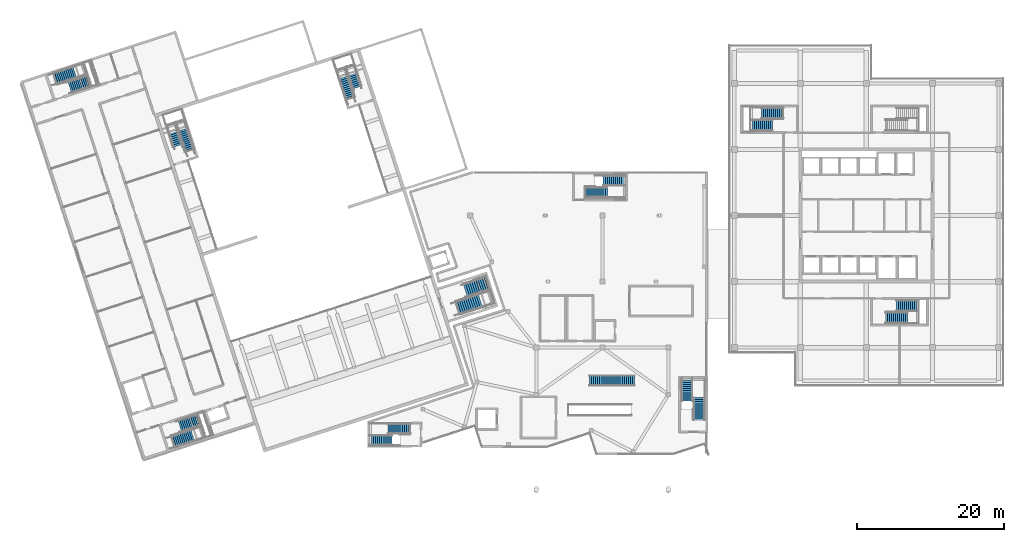
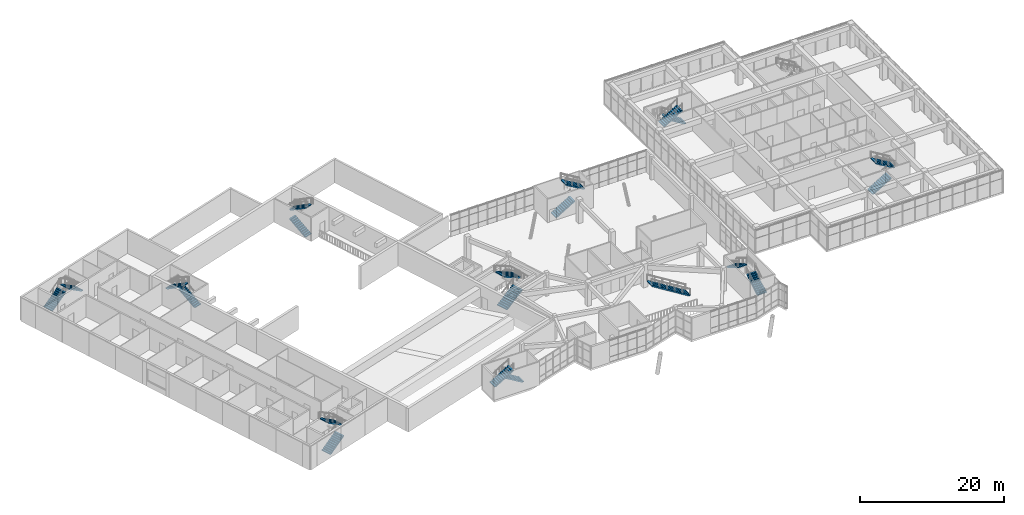
# One storey, part 58 of 66: 21 stair flights, 11 elements without a shape of their own.
"""IFC4 building model written with IfcOpenShell, lengths in metres."""

from ifc_helpers import new_model, si_unit, direction, frame, origin, place, context, subcontext, project, spatial, polyline, outline, extrude, material, type_object, element, aggregate, save


model = new_model("IFC4")

# Units and contexts
model_context = context("Model", 3, precision=1e-05, world=origin(), true_north=direction((0.0, 1.0)))
body_context = subcontext(model_context, "Body", "Model", "MODEL_VIEW")
ifc_project = project(units=[si_unit("LENGTHUNIT", "METRE"), si_unit("AREAUNIT", "SQUARE_METRE"), si_unit("VOLUMEUNIT", "CUBIC_METRE"), si_unit("PLANEANGLEUNIT", "RADIAN"), si_unit("MASSUNIT", "GRAM", prefix="KILO")], contexts=[model_context])

# Site, building, storey
site_placement = place(None, origin())
site = spatial("IfcSite", under=ifc_project, at=site_placement, CompositionType="ELEMENT")
building_placement = place(site_placement, origin())
building = spatial("IfcBuilding", under=site, at=building_placement, Name="Tuart Plaza Theatre", CompositionType="ELEMENT")
storey_placement = place(building_placement, frame((0.0, 0.0, 5.5)))
storey = spatial("IfcBuildingStorey", under=building, at=storey_placement, Name="L01", CompositionType="ELEMENT", Elevation=5.5)

# Stair, stair flights
ifc_material_1 = material(Name="Concrete N40 (40 MPa)", Category="concrete")
stair_type_1 = type_object("IfcStairType", Name="STAIR half turn 1600", PredefinedType="HALF_TURN_STAIR", material=ifc_material_1)
stair_1_placement = place(storey_placement, origin())
stair_1 = element("IfcStair", 1, at=stair_1_placement, inside=storey, type_object=stair_type_1, Name="SA-1", PredefinedType="HALF_TURN_STAIR")
ifc_material_2 = material(Name="Concrete N40 (40 MPa)", Category="concrete")
stair_flight_type_1 = type_object("IfcStairFlightType", Name="STAIR FLIGHT 166.7 260 1600", PredefinedType="STRAIGHT", material=ifc_material_2)
stair_flight_1_placement = place(storey_placement, frame((37.430419921875, 43.14697265625, 0.0), z_axis=(0.0, 0.0, 1.0), x_axis=(0.951056516295, 0.309016994375, 0.0)))
stair_flight_1 = element("IfcStairFlight", 2, at=stair_flight_1_placement, type_object=stair_flight_type_1, Name="SA-1 flight 1", NumberOfRisers=12, NumberOfTreads=11, PredefinedType="STRAIGHT", RiserHeight=0.166666667, TreadLength=0.26, context=body_context, shape_type="SweptSolid", body=[
    extrude(outline(polyline([(0.0, 0.0), (0.0, 0.166748046875), (0.260009765625, 0.166748046875), (0.260009765625, 0.333251953125), (0.52001953125, 0.333251953125), (0.52001953125, 0.5), (0.780029296875, 0.5), (0.780029296875, 0.666748046875), (1.0400390625, 0.666748046875), (1.0400390625, 0.833251953125), (1.300048828125, 0.833251953125), (1.300048828125, 1.0), (1.56005859375, 1.0), (1.56005859375, 1.166748046875), (1.820068359375, 1.166748046875), (1.820068359375, 1.333251953125), (2.080078125, 1.333251953125), (2.080078125, 1.5), (2.340087890625, 1.5), (2.340087890625, 1.666748046875), (2.60009765625, 1.666748046875), (2.60009765625, 1.833251953125), (2.860107421875, 1.833251953125), (2.860107421875, 2.0), (2.860107421875, 1.6552734375), (0.27783203125, 0.0), (0.0, 0.0)])), frame((0.0, 0.800048828125, 0.0), z_axis=(0.0, -1.0, 0.0), x_axis=(1.0, 0.0, 0.0)), (0.0, 0.0, 1.0), 1.60009765625),
])
stair_flight_2_placement = place(storey_placement, frame((41.13134765625, 46.189453125, 2.0), z_axis=(0.0, 0.0, 1.0), x_axis=(-0.951056516295, -0.309016994375, 0.0)))
stair_flight_2 = element("IfcStairFlight", 3, at=stair_flight_2_placement, type_object=stair_flight_type_1, Name="SA-1 flight 2", NumberOfRisers=12, NumberOfTreads=11, PredefinedType="STRAIGHT", RiserHeight=0.166666667, TreadLength=0.26, context=body_context, shape_type="SweptSolid", body=[
    extrude(outline(polyline([(0.0, 0.0), (0.0, 0.166748046875), (0.260009765625, 0.166748046875), (0.260009765625, 0.333251953125), (0.52001953125, 0.333251953125), (0.52001953125, 0.5), (0.780029296875, 0.5), (0.780029296875, 0.666748046875), (1.0400390625, 0.666748046875), (1.0400390625, 0.833251953125), (1.300048828125, 0.833251953125), (1.300048828125, 1.0), (1.56005859375, 1.0), (1.56005859375, 1.166748046875), (1.820068359375, 1.166748046875), (1.820068359375, 1.333251953125), (2.080078125, 1.333251953125), (2.080078125, 1.5), (2.340087890625, 1.5), (2.340087890625, 1.666748046875), (2.60009765625, 1.666748046875), (2.60009765625, 1.833251953125), (2.860107421875, 1.833251953125), (2.860107421875, 2.0), (2.860107421875, 1.6552734375), (0.27783203125, 0.0), (0.0, 0.0)])), frame((0.0, 0.800048828125, 0.0), z_axis=(0.0, -1.0, 0.0), x_axis=(1.0, 0.0, 0.0)), (0.0, 0.0, 1.0), 1.60009765625),
])
aggregate(stair_1, [stair_flight_1, stair_flight_2])

stair_2_placement = place(storey_placement, origin())
stair_2 = element("IfcStair", 4, at=stair_2_placement, inside=storey, type_object=stair_type_1, Name="SA-2", PredefinedType="HALF_TURN_STAIR")
stair_flight_3_placement = place(storey_placement, frame((21.345947265625, 92.6494140625, 0.0), z_axis=(0.0, 0.0, 1.0), x_axis=(0.951056516295, 0.309016994375, 0.0)))
stair_flight_3 = element("IfcStairFlight", 5, at=stair_flight_3_placement, type_object=stair_flight_type_1, Name="SA-2 flight 1", NumberOfRisers=12, NumberOfTreads=11, PredefinedType="STRAIGHT", RiserHeight=0.166666667, TreadLength=0.26, context=body_context, shape_type="SweptSolid", body=[
    extrude(outline(polyline([(0.0, 0.0), (0.0, 0.166748046875), (0.260009765625, 0.166748046875), (0.260009765625, 0.333251953125), (0.52001953125, 0.333251953125), (0.52001953125, 0.5), (0.780029296875, 0.5), (0.780029296875, 0.666748046875), (1.0400390625, 0.666748046875), (1.0400390625, 0.833251953125), (1.300048828125, 0.833251953125), (1.300048828125, 1.0), (1.56005859375, 1.0), (1.56005859375, 1.166748046875), (1.820068359375, 1.166748046875), (1.820068359375, 1.333251953125), (2.080078125, 1.333251953125), (2.080078125, 1.5), (2.340087890625, 1.5), (2.340087890625, 1.666748046875), (2.60009765625, 1.666748046875), (2.60009765625, 1.833251953125), (2.860107421875, 1.833251953125), (2.860107421875, 2.0), (2.860107421875, 1.6552734375), (0.27783203125, 0.0), (0.0, 0.0)])), frame((0.0, 0.800048828125, 0.0), z_axis=(0.0, -1.0, 0.0), x_axis=(1.0, 0.0, 0.0)), (0.0, 0.0, 1.0), 1.60009765625),
])
stair_flight_4_placement = place(storey_placement, frame((26.128662109375, 92.36328125, 2.0), z_axis=(0.0, 0.0, 1.0), x_axis=(-0.951056516295, -0.309016994375, 0.0)))
stair_flight_4 = element("IfcStairFlight", 6, at=stair_flight_4_placement, type_object=stair_flight_type_1, Name="SA-2 flight 2", NumberOfRisers=12, NumberOfTreads=11, PredefinedType="STRAIGHT", RiserHeight=0.166666667, TreadLength=0.26, context=body_context, shape_type="SweptSolid", body=[
    extrude(outline(polyline([(0.0, 0.0), (0.0, 0.166748046875), (0.260009765625, 0.166748046875), (0.260009765625, 0.333251953125), (0.52001953125, 0.333251953125), (0.52001953125, 0.5), (0.780029296875, 0.5), (0.780029296875, 0.666748046875), (1.0400390625, 0.666748046875), (1.0400390625, 0.833251953125), (1.300048828125, 0.833251953125), (1.300048828125, 1.0), (1.56005859375, 1.0), (1.56005859375, 1.166748046875), (1.820068359375, 1.166748046875), (1.820068359375, 1.333251953125), (2.080078125, 1.333251953125), (2.080078125, 1.5), (2.340087890625, 1.5), (2.340087890625, 1.666748046875), (2.60009765625, 1.666748046875), (2.60009765625, 1.833251953125), (2.860107421875, 1.833251953125), (2.860107421875, 2.0), (2.860107421875, 1.6552734375), (0.27783203125, 0.0), (0.0, 0.0)])), frame((0.0, 0.800048828125, 0.0), z_axis=(0.0, -1.0, 0.0), x_axis=(1.0, 0.0, 0.0)), (0.0, 0.0, 1.0), 1.60009765625),
])
aggregate(stair_2, [stair_flight_3, stair_flight_4])

ifc_material_3 = material(Name="Concrete N40 (40 MPa)", Category="concrete")
stair_type_2 = type_object("IfcStairType", Name="STAIR half turn 1500", PredefinedType="HALF_TURN_STAIR", material=ifc_material_3)
stair_3_placement = place(storey_placement, origin())
stair_3 = element("IfcStair", 7, at=stair_3_placement, inside=storey, type_object=stair_type_2, Name="SC-2", PredefinedType="HALF_TURN_STAIR")
ifc_material_4 = material(Name="Concrete N40 (40 MPa)", Category="concrete")
stair_flight_type_2 = type_object("IfcStairFlightType", Name="STAIR FLIGHT 166.7 275 1500", PredefinedType="STRAIGHT", material=ifc_material_4)
stair_flight_5_placement = place(storey_placement, frame((134.594970703125, 60.050048828125, 0.0), z_axis=(0.0, 0.0, 1.0), x_axis=(1.0, 0.0, 0.0)))
stair_flight_5 = element("IfcStairFlight", 8, at=stair_flight_5_placement, type_object=stair_flight_type_2, Name="SC-2 flight 1", NumberOfRisers=12, NumberOfTreads=11, PredefinedType="STRAIGHT", RiserHeight=0.166666667, TreadLength=0.275, context=body_context, shape_type="SweptSolid", body=[
    extrude(outline(polyline([(0.0, 0.0), (0.0, 0.166748046875), (0.27490234375, 0.166748046875), (0.27490234375, 0.333251953125), (0.550048828125, 0.333251953125), (0.550048828125, 0.5), (0.824951171875, 0.5), (0.824951171875, 0.666748046875), (1.10009765625, 0.666748046875), (1.10009765625, 0.833251953125), (1.375, 0.833251953125), (1.375, 1.0), (1.64990234375, 1.0), (1.64990234375, 1.166748046875), (1.925048828125, 1.166748046875), (1.925048828125, 1.333251953125), (2.199951171875, 1.333251953125), (2.199951171875, 1.5), (2.47509765625, 1.5), (2.47509765625, 1.666748046875), (2.75, 1.666748046875), (2.75, 1.833251953125), (3.02490234375, 1.833251953125), (3.02490234375, 2.0), (3.02490234375, 1.657958984375), (0.289306640625, 0.0), (0.0, 0.0)])), frame((0.0, 0.75, 0.0), z_axis=(0.0, -1.0, 0.0), x_axis=(1.0, 0.0, 0.0)), (0.0, 0.0, 1.0), 1.5),
])
stair_flight_6_placement = place(storey_placement, frame((139.1201171875, 61.699951171875, 2.0), z_axis=(0.0, 0.0, 1.0), x_axis=(-1.0, 0.0, 0.0)))
stair_flight_6 = element("IfcStairFlight", 9, at=stair_flight_6_placement, type_object=stair_flight_type_2, Name="SC-2 flight 2", NumberOfRisers=12, NumberOfTreads=11, PredefinedType="STRAIGHT", RiserHeight=0.166666667, TreadLength=0.275, context=body_context, shape_type="SweptSolid", body=[
    extrude(outline(polyline([(0.0, 0.0), (0.0, 0.166748046875), (0.27490234375, 0.166748046875), (0.27490234375, 0.333251953125), (0.550048828125, 0.333251953125), (0.550048828125, 0.5), (0.824951171875, 0.5), (0.824951171875, 0.666748046875), (1.10009765625, 0.666748046875), (1.10009765625, 0.833251953125), (1.375, 0.833251953125), (1.375, 1.0), (1.64990234375, 1.0), (1.64990234375, 1.166748046875), (1.925048828125, 1.166748046875), (1.925048828125, 1.333251953125), (2.199951171875, 1.333251953125), (2.199951171875, 1.5), (2.47509765625, 1.5), (2.47509765625, 1.666748046875), (2.75, 1.666748046875), (2.75, 1.833251953125), (3.02490234375, 1.833251953125), (3.02490234375, 2.0), (3.02490234375, 1.657958984375), (0.289306640625, 0.0), (0.0, 0.0)])), frame((0.0, 0.75, 0.0), z_axis=(0.0, -1.0, 0.0), x_axis=(1.0, 0.0, 0.0)), (0.0, 0.0, 1.0), 1.5),
])
aggregate(stair_3, [stair_flight_5, stair_flight_6])

stair_4_placement = place(storey_placement, origin())
stair_4 = element("IfcStair", 10, at=stair_4_placement, inside=storey, type_object=stair_type_2, Name="SC-14", PredefinedType="HALF_TURN_STAIR")
stair_flight_7_placement = place(storey_placement, frame((120.705078125, 87.949951171875, 0.0), z_axis=(0.0, 0.0, 1.0), x_axis=(-1.0, 0.0, 0.0)))
stair_flight_7 = element("IfcStairFlight", 11, at=stair_flight_7_placement, type_object=stair_flight_type_2, Name="SC-14 flight 1", NumberOfRisers=12, NumberOfTreads=11, PredefinedType="STRAIGHT", RiserHeight=0.166666667, TreadLength=0.275, context=body_context, shape_type="SweptSolid", body=[
    extrude(outline(polyline([(0.0, 0.0), (0.0, 0.166748046875), (0.27490234375, 0.166748046875), (0.27490234375, 0.333251953125), (0.550048828125, 0.333251953125), (0.550048828125, 0.5), (0.824951171875, 0.5), (0.824951171875, 0.666748046875), (1.10009765625, 0.666748046875), (1.10009765625, 0.833251953125), (1.375, 0.833251953125), (1.375, 1.0), (1.64990234375, 1.0), (1.64990234375, 1.166748046875), (1.925048828125, 1.166748046875), (1.925048828125, 1.333251953125), (2.199951171875, 1.333251953125), (2.199951171875, 1.5), (2.47509765625, 1.5), (2.47509765625, 1.666748046875), (2.75, 1.666748046875), (2.75, 1.833251953125), (3.02490234375, 1.833251953125), (3.02490234375, 2.0), (3.02490234375, 1.657958984375), (0.289306640625, 0.0), (0.0, 0.0)])), frame((0.0, 0.75, 0.0), z_axis=(0.0, -1.0, 0.0), x_axis=(1.0, 0.0, 0.0)), (0.0, 0.0, 1.0), 1.5),
])
stair_flight_8_placement = place(storey_placement, frame((116.179931640625, 86.300048828125, 2.0), z_axis=(0.0, 0.0, 1.0), x_axis=(1.0, 0.0, 0.0)))
stair_flight_8 = element("IfcStairFlight", 12, at=stair_flight_8_placement, type_object=stair_flight_type_2, Name="SC-14 flight 2", NumberOfRisers=12, NumberOfTreads=11, PredefinedType="STRAIGHT", RiserHeight=0.166666667, TreadLength=0.275, context=body_context, shape_type="SweptSolid", body=[
    extrude(outline(polyline([(0.0, 0.0), (0.0, 0.166748046875), (0.27490234375, 0.166748046875), (0.27490234375, 0.333251953125), (0.550048828125, 0.333251953125), (0.550048828125, 0.5), (0.824951171875, 0.5), (0.824951171875, 0.666748046875), (1.10009765625, 0.666748046875), (1.10009765625, 0.833251953125), (1.375, 0.833251953125), (1.375, 1.0), (1.64990234375, 1.0), (1.64990234375, 1.166748046875), (1.925048828125, 1.166748046875), (1.925048828125, 1.333251953125), (2.199951171875, 1.333251953125), (2.199951171875, 1.5), (2.47509765625, 1.5), (2.47509765625, 1.666748046875), (2.75, 1.666748046875), (2.75, 1.833251953125), (3.02490234375, 1.833251953125), (3.02490234375, 2.0), (3.02490234375, 1.657958984375), (0.289306640625, 0.0), (0.0, 0.0)])), frame((0.0, 0.75, 0.0), z_axis=(0.0, -1.0, 0.0), x_axis=(1.0, 0.0, 0.0)), (0.0, 0.0, 1.0), 1.5),
])
aggregate(stair_4, [stair_flight_7, stair_flight_8])

ifc_material_5 = material(Name="Concrete N40 (40 MPa)", Category="concrete")
stair_type_3 = type_object("IfcStairType", Name="STAIR half turn 1200", PredefinedType="HALF_TURN_STAIR", material=ifc_material_5)
stair_5_placement = place(storey_placement, origin())
stair_5 = element("IfcStair", 13, at=stair_5_placement, inside=storey, type_object=stair_type_3, Name="SA-4", PredefinedType="HALF_TURN_STAIR")
ifc_material_6 = material(Name="Concrete N40 (40 MPa)", Category="concrete")
stair_flight_type_3 = type_object("IfcStairFlightType", Name="STAIR FLIGHT 166.7 280 1200", PredefinedType="STRAIGHT", material=ifc_material_6)
stair_flight_9_placement = place(storey_placement, frame((39.7744140625, 82.807373046875, 0.0), z_axis=(0.0, 0.0, 1.0), x_axis=(-0.309016994375, 0.951056516295, 0.0)))
stair_flight_9 = element("IfcStairFlight", 14, at=stair_flight_9_placement, type_object=stair_flight_type_3, Name="SA-4 flight 1", NumberOfRisers=12, NumberOfTreads=11, PredefinedType="STRAIGHT", RiserHeight=0.166666667, TreadLength=0.28, context=body_context, shape_type="SweptSolid", body=[
    extrude(outline(polyline([(0.0, 0.0), (0.0, 0.166748046875), (0.280029296875, 0.166748046875), (0.280029296875, 0.333251953125), (0.56005859375, 0.333251953125), (0.56005859375, 0.5), (0.840087890625, 0.5), (0.840087890625, 0.666748046875), (1.1201171875, 0.666748046875), (1.1201171875, 0.833251953125), (1.39990234375, 0.833251953125), (1.39990234375, 1.0), (1.679931640625, 1.0), (1.679931640625, 1.166748046875), (1.9599609375, 1.166748046875), (1.9599609375, 1.333251953125), (2.239990234375, 1.333251953125), (2.239990234375, 1.5), (2.52001953125, 1.5), (2.52001953125, 1.666748046875), (2.800048828125, 1.666748046875), (2.800048828125, 1.833251953125), (3.080078125, 1.833251953125), (3.080078125, 2.0), (3.080078125, 1.658935546875), (0.29296875, 0.0), (0.0, 0.0)])), frame((0.0, 0.60009765625, 0.0), z_axis=(0.0, -1.0, 0.0), x_axis=(1.0, 0.0, 0.0)), (0.0, 0.0, 1.0), 1.199951171875),
])
stair_flight_10_placement = place(storey_placement, frame((37.167724609375, 86.460693359375, 2.0), z_axis=(0.0, 0.0, 1.0), x_axis=(0.309016994375, -0.951056516295, 0.0)))
stair_flight_10 = element("IfcStairFlight", 15, at=stair_flight_10_placement, type_object=stair_flight_type_3, Name="SA-4 flight 2", NumberOfRisers=12, NumberOfTreads=11, PredefinedType="STRAIGHT", RiserHeight=0.166666667, TreadLength=0.28, context=body_context, shape_type="SweptSolid", body=[
    extrude(outline(polyline([(0.0, 0.0), (0.0, 0.166748046875), (0.280029296875, 0.166748046875), (0.280029296875, 0.333251953125), (0.56005859375, 0.333251953125), (0.56005859375, 0.5), (0.840087890625, 0.5), (0.840087890625, 0.666748046875), (1.1201171875, 0.666748046875), (1.1201171875, 0.833251953125), (1.39990234375, 0.833251953125), (1.39990234375, 1.0), (1.679931640625, 1.0), (1.679931640625, 1.166748046875), (1.9599609375, 1.166748046875), (1.9599609375, 1.333251953125), (2.239990234375, 1.333251953125), (2.239990234375, 1.5), (2.52001953125, 1.5), (2.52001953125, 1.666748046875), (2.800048828125, 1.666748046875), (2.800048828125, 1.833251953125), (3.080078125, 1.833251953125), (3.080078125, 2.0), (3.080078125, 1.658935546875), (0.29296875, 0.0), (0.0, 0.0)])), frame((0.0, 0.60009765625, 0.0), z_axis=(0.0, -1.0, 0.0), x_axis=(1.0, 0.0, 0.0)), (0.0, 0.0, 1.0), 1.199951171875),
])
aggregate(stair_5, [stair_flight_9, stair_flight_10])

stair_6_placement = place(storey_placement, origin())
stair_6 = element("IfcStair", 16, at=stair_6_placement, inside=storey, type_object=stair_type_3, Name="SA-5", PredefinedType="HALF_TURN_STAIR")
stair_flight_11_placement = place(storey_placement, frame((61.6533203125, 89.916259765625, 0.0), z_axis=(0.0, 0.0, 1.0), x_axis=(-0.309016994375, 0.951056516295, 0.0)))
stair_flight_11 = element("IfcStairFlight", 17, at=stair_flight_11_placement, type_object=stair_flight_type_3, Name="SA-5 flight 1", NumberOfRisers=12, NumberOfTreads=11, PredefinedType="STRAIGHT", RiserHeight=0.166666667, TreadLength=0.28, context=body_context, shape_type="SweptSolid", body=[
    extrude(outline(polyline([(0.0, 0.0), (0.0, 0.166748046875), (0.280029296875, 0.166748046875), (0.280029296875, 0.333251953125), (0.56005859375, 0.333251953125), (0.56005859375, 0.5), (0.840087890625, 0.5), (0.840087890625, 0.666748046875), (1.1201171875, 0.666748046875), (1.1201171875, 0.833251953125), (1.39990234375, 0.833251953125), (1.39990234375, 1.0), (1.679931640625, 1.0), (1.679931640625, 1.166748046875), (1.9599609375, 1.166748046875), (1.9599609375, 1.333251953125), (2.239990234375, 1.333251953125), (2.239990234375, 1.5), (2.52001953125, 1.5), (2.52001953125, 1.666748046875), (2.800048828125, 1.666748046875), (2.800048828125, 1.833251953125), (3.080078125, 1.833251953125), (3.080078125, 2.0), (3.080078125, 1.658935546875), (0.29296875, 0.0), (0.0, 0.0)])), frame((0.0, 0.60009765625, 0.0), z_axis=(0.0, -1.0, 0.0), x_axis=(1.0, 0.0, 0.0)), (0.0, 0.0, 1.0), 1.199951171875),
])
stair_flight_12_placement = place(storey_placement, frame((61.61474609375, 94.404052734375, 2.0), z_axis=(0.0, 0.0, 1.0), x_axis=(0.309016994375, -0.951056516295, 0.0)))
stair_flight_12 = element("IfcStairFlight", 18, at=stair_flight_12_placement, type_object=stair_flight_type_3, Name="SA-5 flight 2", NumberOfRisers=12, NumberOfTreads=11, PredefinedType="STRAIGHT", RiserHeight=0.166666667, TreadLength=0.28, context=body_context, shape_type="SweptSolid", body=[
    extrude(outline(polyline([(0.0, 0.0), (0.0, 0.166748046875), (0.280029296875, 0.166748046875), (0.280029296875, 0.333251953125), (0.56005859375, 0.333251953125), (0.56005859375, 0.5), (0.840087890625, 0.5), (0.840087890625, 0.666748046875), (1.1201171875, 0.666748046875), (1.1201171875, 0.833251953125), (1.39990234375, 0.833251953125), (1.39990234375, 1.0), (1.679931640625, 1.0), (1.679931640625, 1.166748046875), (1.9599609375, 1.166748046875), (1.9599609375, 1.333251953125), (2.239990234375, 1.333251953125), (2.239990234375, 1.5), (2.52001953125, 1.5), (2.52001953125, 1.666748046875), (2.800048828125, 1.666748046875), (2.800048828125, 1.833251953125), (3.080078125, 1.833251953125), (3.080078125, 2.0), (3.080078125, 1.658935546875), (0.29296875, 0.0), (0.0, 0.0)])), frame((0.0, 0.60009765625, 0.0), z_axis=(0.0, -1.0, 0.0), x_axis=(1.0, 0.0, 0.0)), (0.0, 0.0, 1.0), 1.199951171875),
])
aggregate(stair_6, [stair_flight_11, stair_flight_12])

ifc_material_7 = material(Name="Concrete N40 (40 MPa)", Category="concrete")
stair_type_4 = type_object("IfcStairType", Name="STAIR half turn 1400", PredefinedType="HALF_TURN_STAIR", material=ifc_material_7)
stair_7_placement = place(storey_placement, origin())
stair_7 = element("IfcStair", 19, at=stair_7_placement, inside=storey, type_object=stair_type_4, Name="SB-2", PredefinedType="HALF_TURN_STAIR")
ifc_material_8 = material(Name="Concrete N40 (40 MPa)", Category="concrete")
stair_flight_type_4 = type_object("IfcStairFlightType", Name="STAIR FLIGHT 166.7 280 1400", PredefinedType="STRAIGHT", material=ifc_material_8)
stair_flight_13_placement = place(storey_placement, frame((69.85009765625, 44.925048828125, 0.0), z_axis=(0.0, 0.0, 1.0), x_axis=(-1.0, 0.0, 0.0)))
stair_flight_13 = element("IfcStairFlight", 20, at=stair_flight_13_placement, type_object=stair_flight_type_4, Name="SB-2 flight 1", NumberOfRisers=12, NumberOfTreads=11, PredefinedType="STRAIGHT", RiserHeight=0.166666667, TreadLength=0.28, context=body_context, shape_type="SweptSolid", body=[
    extrude(outline(polyline([(0.0, 0.0), (0.0, 0.166748046875), (0.280029296875, 0.166748046875), (0.280029296875, 0.333251953125), (0.56005859375, 0.333251953125), (0.56005859375, 0.5), (0.840087890625, 0.5), (0.840087890625, 0.666748046875), (1.1201171875, 0.666748046875), (1.1201171875, 0.833251953125), (1.39990234375, 0.833251953125), (1.39990234375, 1.0), (1.679931640625, 1.0), (1.679931640625, 1.166748046875), (1.9599609375, 1.166748046875), (1.9599609375, 1.333251953125), (2.239990234375, 1.333251953125), (2.239990234375, 1.5), (2.52001953125, 1.5), (2.52001953125, 1.666748046875), (2.800048828125, 1.666748046875), (2.800048828125, 1.833251953125), (3.080078125, 1.833251953125), (3.080078125, 2.0), (3.080078125, 1.658935546875), (0.29296875, 0.0), (0.0, 0.0)])), frame((0.0, 0.699951171875, 0.0), z_axis=(0.0, -1.0, 0.0), x_axis=(1.0, 0.0, 0.0)), (0.0, 0.0, 1.0), 1.39990234375),
])
stair_flight_14_placement = place(storey_placement, frame((64.25, 43.375, 2.0), z_axis=(0.0, 0.0, 1.0), x_axis=(1.0, 0.0, 0.0)))
stair_flight_14 = element("IfcStairFlight", 21, at=stair_flight_14_placement, type_object=stair_flight_type_4, Name="SB-2 flight 2", NumberOfRisers=12, NumberOfTreads=11, PredefinedType="STRAIGHT", RiserHeight=0.166666667, TreadLength=0.28, context=body_context, shape_type="SweptSolid", body=[
    extrude(outline(polyline([(0.0, 0.0), (0.0, 0.166748046875), (0.280029296875, 0.166748046875), (0.280029296875, 0.333251953125), (0.56005859375, 0.333251953125), (0.56005859375, 0.5), (0.840087890625, 0.5), (0.840087890625, 0.666748046875), (1.1201171875, 0.666748046875), (1.1201171875, 0.833251953125), (1.39990234375, 0.833251953125), (1.39990234375, 1.0), (1.679931640625, 1.0), (1.679931640625, 1.166748046875), (1.9599609375, 1.166748046875), (1.9599609375, 1.333251953125), (2.239990234375, 1.333251953125), (2.239990234375, 1.5), (2.52001953125, 1.5), (2.52001953125, 1.666748046875), (2.800048828125, 1.666748046875), (2.800048828125, 1.833251953125), (3.080078125, 1.833251953125), (3.080078125, 2.0), (3.080078125, 1.658935546875), (0.29296875, 0.0), (0.0, 0.0)])), frame((0.0, 0.699951171875, 0.0), z_axis=(0.0, -1.0, 0.0), x_axis=(1.0, 0.0, 0.0)), (0.0, 0.0, 1.0), 1.39990234375),
])
aggregate(stair_7, [stair_flight_13, stair_flight_14])

stair_8_placement = place(storey_placement, origin())
stair_8 = element("IfcStair", 22, at=stair_8_placement, inside=storey, type_object=stair_type_4, Name="SB-5", PredefinedType="HALF_TURN_STAIR")
stair_flight_15_placement = place(storey_placement, frame((93.60009765625, 77.175048828125, 0.0), z_axis=(0.0, 0.0, 1.0), x_axis=(1.0, 0.0, 0.0)))
stair_flight_15 = element("IfcStairFlight", 23, at=stair_flight_15_placement, type_object=stair_flight_type_4, Name="SB-5 flight 1", NumberOfRisers=12, NumberOfTreads=11, PredefinedType="STRAIGHT", RiserHeight=0.166666667, TreadLength=0.28, context=body_context, shape_type="SweptSolid", body=[
    extrude(outline(polyline([(0.0, 0.0), (0.0, 0.166748046875), (0.280029296875, 0.166748046875), (0.280029296875, 0.333251953125), (0.56005859375, 0.333251953125), (0.56005859375, 0.5), (0.840087890625, 0.5), (0.840087890625, 0.666748046875), (1.1201171875, 0.666748046875), (1.1201171875, 0.833251953125), (1.39990234375, 0.833251953125), (1.39990234375, 1.0), (1.679931640625, 1.0), (1.679931640625, 1.166748046875), (1.9599609375, 1.166748046875), (1.9599609375, 1.333251953125), (2.239990234375, 1.333251953125), (2.239990234375, 1.5), (2.52001953125, 1.5), (2.52001953125, 1.666748046875), (2.800048828125, 1.666748046875), (2.800048828125, 1.833251953125), (3.080078125, 1.833251953125), (3.080078125, 2.0), (3.080078125, 1.658935546875), (0.29296875, 0.0), (0.0, 0.0)])), frame((0.0, 0.699951171875, 0.0), z_axis=(0.0, -1.0, 0.0), x_axis=(1.0, 0.0, 0.0)), (0.0, 0.0, 1.0), 1.39990234375),
])
stair_flight_16_placement = place(storey_placement, frame((99.199951171875, 78.72509765625, 2.0), z_axis=(0.0, 0.0, 1.0), x_axis=(-1.0, 0.0, 0.0)))
stair_flight_16 = element("IfcStairFlight", 24, at=stair_flight_16_placement, type_object=stair_flight_type_4, Name="SB-5 flight 2", NumberOfRisers=12, NumberOfTreads=11, PredefinedType="STRAIGHT", RiserHeight=0.166666667, TreadLength=0.28, context=body_context, shape_type="SweptSolid", body=[
    extrude(outline(polyline([(0.0, 0.0), (0.0, 0.166748046875), (0.280029296875, 0.166748046875), (0.280029296875, 0.333251953125), (0.56005859375, 0.333251953125), (0.56005859375, 0.5), (0.840087890625, 0.5), (0.840087890625, 0.666748046875), (1.1201171875, 0.666748046875), (1.1201171875, 0.833251953125), (1.39990234375, 0.833251953125), (1.39990234375, 1.0), (1.679931640625, 1.0), (1.679931640625, 1.166748046875), (1.9599609375, 1.166748046875), (1.9599609375, 1.333251953125), (2.239990234375, 1.333251953125), (2.239990234375, 1.5), (2.52001953125, 1.5), (2.52001953125, 1.666748046875), (2.800048828125, 1.666748046875), (2.800048828125, 1.833251953125), (3.080078125, 1.833251953125), (3.080078125, 2.0), (3.080078125, 1.658935546875), (0.29296875, 0.0), (0.0, 0.0)])), frame((0.0, 0.699951171875, 0.0), z_axis=(0.0, -1.0, 0.0), x_axis=(1.0, 0.0, 0.0)), (0.0, 0.0, 1.0), 1.39990234375),
])
aggregate(stair_8, [stair_flight_15, stair_flight_16])

stair_9_placement = place(storey_placement, origin())
stair_9 = element("IfcStair", 25, at=stair_9_placement, inside=storey, type_object=stair_type_2, Name="SB-8", PredefinedType="HALF_TURN_STAIR")
ifc_material_9 = material(Name="Concrete N40 (40 MPa)", Category="concrete")
stair_flight_type_5 = type_object("IfcStairFlightType", Name="STAIR FLIGHT 166.7 280 1500", PredefinedType="STRAIGHT", material=ifc_material_9)
stair_flight_17_placement = place(storey_placement, frame((109.205078125, 46.10009765625, 0.0), z_axis=(0.0, 0.0, 1.0), x_axis=(0.0, 1.0, 0.0)))
stair_flight_17 = element("IfcStairFlight", 26, at=stair_flight_17_placement, type_object=stair_flight_type_5, Name="SB-8 flight 1", NumberOfRisers=12, NumberOfTreads=11, PredefinedType="STRAIGHT", RiserHeight=0.166666667, TreadLength=0.28, context=body_context, shape_type="SweptSolid", body=[
    extrude(outline(polyline([(0.0, 0.0), (0.0, 0.166748046875), (0.280029296875, 0.166748046875), (0.280029296875, 0.333251953125), (0.56005859375, 0.333251953125), (0.56005859375, 0.5), (0.840087890625, 0.5), (0.840087890625, 0.666748046875), (1.1201171875, 0.666748046875), (1.1201171875, 0.833251953125), (1.39990234375, 0.833251953125), (1.39990234375, 1.0), (1.679931640625, 1.0), (1.679931640625, 1.166748046875), (1.9599609375, 1.166748046875), (1.9599609375, 1.333251953125), (2.239990234375, 1.333251953125), (2.239990234375, 1.5), (2.52001953125, 1.5), (2.52001953125, 1.666748046875), (2.800048828125, 1.666748046875), (2.800048828125, 1.833251953125), (3.080078125, 1.833251953125), (3.080078125, 2.0), (3.080078125, 1.658935546875), (0.29296875, 0.0), (0.0, 0.0)])), frame((0.0, 0.75, 0.0), z_axis=(0.0, -1.0, 0.0), x_axis=(1.0, 0.0, 0.0)), (0.0, 0.0, 1.0), 1.5),
])
stair_flight_18_placement = place(storey_placement, frame((107.554931640625, 51.800048828125, 2.0), z_axis=(0.0, 0.0, 1.0), x_axis=(0.0, -1.0, 0.0)))
stair_flight_18 = element("IfcStairFlight", 27, at=stair_flight_18_placement, type_object=stair_flight_type_5, Name="SB-8 flight 2", NumberOfRisers=12, NumberOfTreads=11, PredefinedType="STRAIGHT", RiserHeight=0.166666667, TreadLength=0.28, context=body_context, shape_type="SweptSolid", body=[
    extrude(outline(polyline([(0.0, 0.0), (0.0, 0.166748046875), (0.280029296875, 0.166748046875), (0.280029296875, 0.333251953125), (0.56005859375, 0.333251953125), (0.56005859375, 0.5), (0.840087890625, 0.5), (0.840087890625, 0.666748046875), (1.1201171875, 0.666748046875), (1.1201171875, 0.833251953125), (1.39990234375, 0.833251953125), (1.39990234375, 1.0), (1.679931640625, 1.0), (1.679931640625, 1.166748046875), (1.9599609375, 1.166748046875), (1.9599609375, 1.333251953125), (2.239990234375, 1.333251953125), (2.239990234375, 1.5), (2.52001953125, 1.5), (2.52001953125, 1.666748046875), (2.800048828125, 1.666748046875), (2.800048828125, 1.833251953125), (3.080078125, 1.833251953125), (3.080078125, 2.0), (3.080078125, 1.658935546875), (0.29296875, 0.0), (0.0, 0.0)])), frame((0.0, 0.75, 0.0), z_axis=(0.0, -1.0, 0.0), x_axis=(1.0, 0.0, 0.0)), (0.0, 0.0, 1.0), 1.5),
])
aggregate(stair_9, [stair_flight_17, stair_flight_18])

ifc_material_10 = material(Name="Concrete N40 (40 MPa)", Category="concrete")
stair_type_5 = type_object("IfcStairType", Name="STAIR half turn 1800", PredefinedType="HALF_TURN_STAIR", material=ifc_material_10)
stair_10_placement = place(storey_placement, origin())
stair_10 = element("IfcStair", 28, at=stair_10_placement, inside=storey, type_object=stair_type_5, Name="SA-3", PredefinedType="HALF_TURN_STAIR")
ifc_material_11 = material(Name="Concrete N40 (40 MPa)", Category="concrete")
stair_flight_type_6 = type_object("IfcStairFlightType", Name="STAIR FLIGHT 166.7 300 1800", PredefinedType="STRAIGHT", material=ifc_material_11)
stair_flight_19_placement = place(storey_placement, frame((76.220703125, 61.3759765625, 0.0), z_axis=(0.0, 0.0, 1.0), x_axis=(0.951056516295, 0.309016994375, 0.0)))
stair_flight_19 = element("IfcStairFlight", 29, at=stair_flight_19_placement, type_object=stair_flight_type_6, Name="SA-3 flight 1", NumberOfRisers=12, NumberOfTreads=11, PredefinedType="STRAIGHT", RiserHeight=0.166666667, TreadLength=0.3, context=body_context, shape_type="SweptSolid", body=[
    extrude(outline(polyline([(0.0, 0.0), (0.0, 0.166748046875), (0.300048828125, 0.166748046875), (0.300048828125, 0.333251953125), (0.60009765625, 0.333251953125), (0.60009765625, 0.5), (0.89990234375, 0.5), (0.89990234375, 0.666748046875), (1.199951171875, 0.666748046875), (1.199951171875, 0.833251953125), (1.5, 0.833251953125), (1.5, 1.0), (1.800048828125, 1.0), (1.800048828125, 1.166748046875), (2.10009765625, 1.166748046875), (2.10009765625, 1.333251953125), (2.39990234375, 1.333251953125), (2.39990234375, 1.5), (2.699951171875, 1.5), (2.699951171875, 1.666748046875), (3.0, 1.666748046875), (3.0, 1.833251953125), (3.300048828125, 1.833251953125), (3.300048828125, 2.0), (3.300048828125, 1.661865234375), (0.30859375, 0.0), (0.0, 0.0)])), frame((0.0, 0.89990234375, 0.0), z_axis=(0.0, -1.0, 0.0), x_axis=(1.0, 0.0, 0.0)), (0.0, 0.0, 1.0), 1.800048828125),
])
stair_flight_20_placement = place(storey_placement, frame((80.468505859375, 64.806640625, 2.0), z_axis=(0.0, 0.0, 1.0), x_axis=(-0.951056516295, -0.309016994375, 0.0)))
stair_flight_20 = element("IfcStairFlight", 30, at=stair_flight_20_placement, type_object=stair_flight_type_6, Name="SA-3 flight 2", NumberOfRisers=12, NumberOfTreads=11, PredefinedType="STRAIGHT", RiserHeight=0.166666667, TreadLength=0.3, context=body_context, shape_type="SweptSolid", body=[
    extrude(outline(polyline([(0.0, 0.0), (0.0, 0.166748046875), (0.300048828125, 0.166748046875), (0.300048828125, 0.333251953125), (0.60009765625, 0.333251953125), (0.60009765625, 0.5), (0.89990234375, 0.5), (0.89990234375, 0.666748046875), (1.199951171875, 0.666748046875), (1.199951171875, 0.833251953125), (1.5, 0.833251953125), (1.5, 1.0), (1.800048828125, 1.0), (1.800048828125, 1.166748046875), (2.10009765625, 1.166748046875), (2.10009765625, 1.333251953125), (2.39990234375, 1.333251953125), (2.39990234375, 1.5), (2.699951171875, 1.5), (2.699951171875, 1.666748046875), (3.0, 1.666748046875), (3.0, 1.833251953125), (3.300048828125, 1.833251953125), (3.300048828125, 2.0), (3.300048828125, 1.661865234375), (0.30859375, 0.0), (0.0, 0.0)])), frame((0.0, 0.89990234375, 0.0), z_axis=(0.0, -1.0, 0.0), x_axis=(1.0, 0.0, 0.0)), (0.0, 0.0, 1.0), 1.800048828125),
])
aggregate(stair_10, [stair_flight_19, stair_flight_20])

# Stair, stair flight
ifc_material_12 = material(Name="Concrete N40 (40 MPa)", Category="concrete")
stair_type_6 = type_object("IfcStairType", Name="STAIR straight 1400", PredefinedType="STRAIGHT_RUN_STAIR", material=ifc_material_12)
stair_11_placement = place(storey_placement, origin())
stair_11 = element("IfcStair", 31, at=stair_11_placement, inside=storey, type_object=stair_type_6, Name="SB-16", PredefinedType="STRAIGHT_RUN_STAIR")
ifc_material_13 = material(Name="Concrete N40 (40 MPa)", Category="concrete")
stair_flight_type_7 = type_object("IfcStairFlightType", Name="STAIR FLIGHT 173.9 280 1400", PredefinedType="STRAIGHT", material=ifc_material_13)
stair_flight_21_placement = place(storey_placement, frame((100.39990234375, 51.5, 0.0), z_axis=(0.0, 0.0, 1.0), x_axis=(-1.0, 0.0, 0.0)))
stair_flight_21 = element("IfcStairFlight", 32, at=stair_flight_21_placement, type_object=stair_flight_type_7, Name="SB-16 flight 1", NumberOfRisers=23, NumberOfTreads=22, PredefinedType="STRAIGHT", RiserHeight=0.173913043, TreadLength=0.28, context=body_context, shape_type="SweptSolid", body=[
    extrude(outline(polyline([(0.0, 0.0), (0.0, 0.173828125), (0.280029296875, 0.173828125), (0.280029296875, 0.347900390625), (0.56005859375, 0.347900390625), (0.56005859375, 0.521728515625), (0.840087890625, 0.521728515625), (0.840087890625, 0.695556640625), (1.1201171875, 0.695556640625), (1.1201171875, 0.86962890625), (1.39990234375, 0.86962890625), (1.39990234375, 1.04345703125), (1.679931640625, 1.04345703125), (1.679931640625, 1.21728515625), (1.9599609375, 1.21728515625), (1.9599609375, 1.391357421875), (2.239990234375, 1.391357421875), (2.239990234375, 1.565185546875), (2.52001953125, 1.565185546875), (2.52001953125, 1.739013671875), (2.800048828125, 1.739013671875), (2.800048828125, 1.9130859375), (3.080078125, 1.9130859375), (3.080078125, 2.0869140625), (3.360107421875, 2.0869140625), (3.360107421875, 2.260986328125), (3.639892578125, 2.260986328125), (3.639892578125, 2.434814453125), (3.919921875, 2.434814453125), (3.919921875, 2.608642578125), (4.199951171875, 2.608642578125), (4.199951171875, 2.78271484375), (4.47998046875, 2.78271484375), (4.47998046875, 2.95654296875), (4.760009765625, 2.95654296875), (4.760009765625, 3.13037109375), (5.0400390625, 3.13037109375), (5.0400390625, 3.304443359375), (5.320068359375, 3.304443359375), (5.320068359375, 3.478271484375), (5.60009765625, 3.478271484375), (5.60009765625, 3.652099609375), (5.8798828125, 3.652099609375), (5.8798828125, 3.826171875), (6.159912109375, 3.826171875), (6.159912109375, 4.0), (6.159912109375, 3.649658203125), (0.2841796875, 0.0), (0.0, 0.0)])), frame((0.0, 0.699951171875, 0.0), z_axis=(0.0, -1.0, 0.0), x_axis=(1.0, 0.0, 0.0)), (0.0, 0.0, 1.0), 1.39990234375),
])
aggregate(stair_11, [stair_flight_21])

save(model, "model.ifc")
